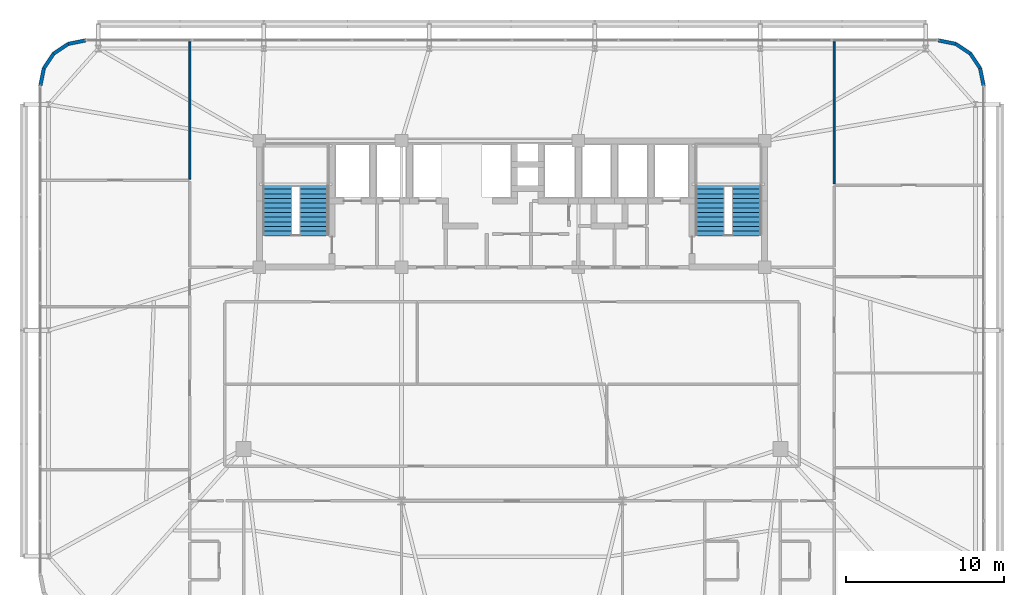
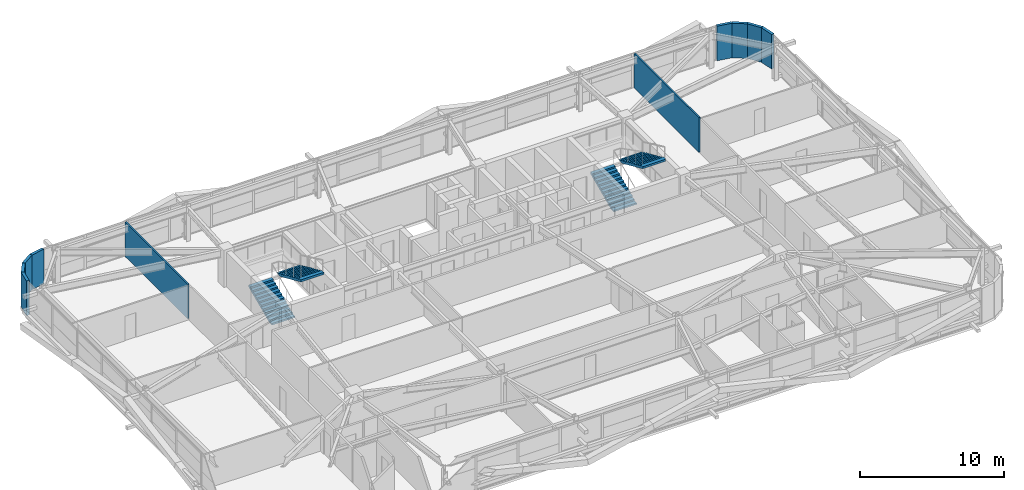
# One storey, part 56 of 59: 10 walls, 4 stair flights, 2 elements without a shape of their own.
"""IFC4 building model written with IfcOpenShell, lengths in metres."""

import ifcopenshell
import ifcopenshell.guid

model = None  # the IFC model being written
_history = None  # IfcOwnerHistory: only IFC2X3 demands one
_inside = {}  # id of a spatial element -> (the spatial element, [elements in it])
_under = {}  # id of a project, library or spatial element -> (it, [spatial elements below it])
_declared = {}  # id of a project -> (the project, [libraries it declares])
_typed = {}  # id of a type object -> (the type object, [elements of that type])
_made_of = {}  # id of a material, layer set ... -> (it, [elements and type objects made of it])


def new_model(schema):
    """Start an empty IFC model of exactly this schema.

    Asked for "IFC4X3", IfcOpenShell would pick the latest addendum, in which some entities
    have other attributes; the version numbers below select the first issue.
    IFC2X3 requires an IfcOwnerHistory on every rooted entity: one is made here for all.
    """
    global model, _history
    if schema == "IFC4X3":
        model = ifcopenshell.file(schema_version=(4, 3, 0, 0))
    else:
        model = ifcopenshell.file(schema=schema)
    _inside.clear()
    _under.clear()
    _declared.clear()
    _typed.clear()
    _made_of.clear()
    _history = None
    if model.schema == "IFC2X3":
        org = make("IfcOrganization", Name="unknown")
        user = make(
            "IfcPersonAndOrganization",
            ThePerson=make("IfcPerson", FamilyName="unknown"),
            TheOrganization=org,
        )
        app = make(
            "IfcApplication",
            ApplicationDeveloper=org,
            Version="unknown",
            ApplicationFullName="unknown",
            ApplicationIdentifier="unknown",
        )
        _history = make(
            "IfcOwnerHistory",
            OwningUser=user,
            OwningApplication=app,
            ChangeAction="ADDED",
            CreationDate=0,
        )
    return model


def make(cls, **values):
    """One entity of the class cls with the attributes given. An attribute that is None is left unset."""
    return model.create_entity(
        cls, **{name: value for name, value in values.items() if value is not None}
    )


def rooted(cls, **values):
    """An entity with a GlobalId (a new one), such as an element, a storey or a relation."""
    return make(cls, GlobalId=ifcopenshell.guid.new(), OwnerHistory=_history, **values)


def si_unit(unit_type, name, prefix=None):
    """IfcSIUnit, for example si_unit("LENGTHUNIT", "METRE", prefix="MILLI")."""
    return make("IfcSIUnit", UnitType=unit_type, Prefix=prefix, Name=name)


def assignment(units):
    """IfcUnitAssignment: the units of a project."""
    return None if units is None else make("IfcUnitAssignment", Units=units)


def point(xyz):
    """IfcCartesianPoint."""
    return None if xyz is None else make("IfcCartesianPoint", Coordinates=xyz)


def direction(xyz):
    """IfcDirection."""
    return None if xyz is None else make("IfcDirection", DirectionRatios=xyz)


def frame(location, z_axis=None, x_axis=None):
    """IfcAxis2Placement3D, a coordinate frame: its origin and axes. An axis left out is left unset."""
    return make(
        "IfcAxis2Placement3D",
        Location=point(location),
        Axis=direction(z_axis),
        RefDirection=direction(x_axis),
    )


def frame_2d(location, x_axis=None):
    """IfcAxis2Placement2D, a coordinate frame in the plane: its origin and x axis."""
    return make(
        "IfcAxis2Placement2D", Location=point(location), RefDirection=direction(x_axis)
    )


def origin():
    """The frame at (0, 0, 0) with its axes left unset."""
    return frame((0.0, 0.0, 0.0))


def place(relative_to, where):
    """IfcLocalPlacement: puts the frame where relative to a parent placement (None: the world)."""
    return make(
        "IfcLocalPlacement", PlacementRelTo=relative_to, RelativePlacement=where
    )


def context(
    kind, dimensions, precision=None, world=None, true_north=None, identifier=None
):
    """IfcGeometricRepresentationContext, for example the 3D "Model" context."""
    return make(
        "IfcGeometricRepresentationContext",
        ContextIdentifier=identifier,
        ContextType=kind,
        CoordinateSpaceDimension=dimensions,
        Precision=precision,
        WorldCoordinateSystem=world,
        TrueNorth=true_north,
    )


def subcontext(parent, identifier, kind, view, scale=None):
    """IfcGeometricRepresentationSubContext, for example "Body" below "Model"."""
    return make(
        "IfcGeometricRepresentationSubContext",
        ContextIdentifier=identifier,
        ContextType=kind,
        ParentContext=parent,
        TargetScale=scale,
        TargetView=view,
    )


def project(units=None, contexts=None):
    """IfcProject with its units and contexts."""
    return rooted(
        "IfcProject",
        Name="project",
        RepresentationContexts=contexts,
        UnitsInContext=assignment(units),
    )


def spatial(cls, under=None, at=None, **own):
    """A site, building, storey or space (cls), placed at a placement, below another one or the project."""
    s = rooted(cls, ObjectPlacement=at, **own)
    if under is not None:
        _under.setdefault(under.id(), (under, []))[1].append(s)
    return s


def polyline(points):
    """IfcPolyline through the points."""
    return make("IfcPolyline", Points=[point(p) for p in points])


def profile(cls, at=None, kind="AREA", **sizes):
    """A parametric profile (cls). Its sizes go by their IFC names, for example OverallWidth=200.0."""
    return make(cls, ProfileType=kind, Position=at, **sizes)


def rectangle(**sizes):
    """IfcRectangleProfileDef."""
    return profile("IfcRectangleProfileDef", **sizes)


def outline(outer, holes=None, kind="AREA"):
    """IfcArbitraryClosedProfileDef: a profile drawn as a closed curve; with holes, ...WithVoids."""
    if holes is None:
        return make("IfcArbitraryClosedProfileDef", ProfileType=kind, OuterCurve=outer)
    return make(
        "IfcArbitraryProfileDefWithVoids",
        ProfileType=kind,
        OuterCurve=outer,
        InnerCurves=holes,
    )


def extrude(swept, where, along, depth):
    """IfcExtrudedAreaSolid: the profile swept, set in the frame where, extruded along a direction by depth."""
    return make(
        "IfcExtrudedAreaSolid",
        SweptArea=swept,
        Position=where,
        ExtrudedDirection=direction(along),
        Depth=depth,
    )


def shape(context_of_items, identifier, shape_type, items):
    """IfcShapeRepresentation: the items that make up one representation, for example the "Body"."""
    return make(
        "IfcShapeRepresentation",
        ContextOfItems=context_of_items,
        RepresentationIdentifier=identifier,
        RepresentationType=shape_type,
        Items=items,
    )


def source(mapping_origin, context_of_items, identifier, shape_type, items):
    """IfcRepresentationMap: a shape defined once, which mapped items show again and again."""
    return make(
        "IfcRepresentationMap",
        MappingOrigin=mapping_origin,
        MappedRepresentation=shape(context_of_items, identifier, shape_type, items),
    )


def transform(
    local_origin,
    x_axis=None,
    y_axis=None,
    z_axis=None,
    scale=None,
    scale2=None,
    scale3=None,
    uniform=True,
):
    """IfcCartesianTransformationOperator3D, or its non-uniform kind. x_axis, y_axis, z_axis: its Axis1, 2, 3."""
    if uniform:
        return make(
            "IfcCartesianTransformationOperator3D",
            Axis1=direction(x_axis),
            Axis2=direction(y_axis),
            LocalOrigin=point(local_origin),
            Scale=scale,
            Axis3=direction(z_axis),
        )
    return make(
        "IfcCartesianTransformationOperator3DnonUniform",
        Axis1=direction(x_axis),
        Axis2=direction(y_axis),
        LocalOrigin=point(local_origin),
        Scale=scale,
        Axis3=direction(z_axis),
        Scale2=scale2,
        Scale3=scale3,
    )


def mapped(mapping_source, mapping_target):
    """IfcMappedItem: shows the shape of a source again, moved by a transform."""
    return make(
        "IfcMappedItem", MappingSource=mapping_source, MappingTarget=mapping_target
    )


def material(Name=None, Category=None):
    """IfcMaterial."""
    return make("IfcMaterial", Name=Name, Category=Category)


def layer(
    of_material, thickness, ventilated=None, Name=None, Category=None, Priority=None
):
    """IfcMaterialLayer: one layer of a wall or slab, of a material (None: an air gap)."""
    return make(
        "IfcMaterialLayer",
        Material=of_material,
        LayerThickness=thickness,
        IsVentilated=ventilated,
        Name=Name,
        Category=Category,
        Priority=Priority,
    )


def layer_set(layers, Name=None):
    """IfcMaterialLayerSet."""
    return make("IfcMaterialLayerSet", MaterialLayers=layers, LayerSetName=Name)


def made_of(thing, what):
    """Note that an element or type object is made of a material, layer set ...; save() writes the relation."""
    if what is not None:
        _made_of.setdefault(what.id(), (what, []))[1].append(thing)
    return thing


def type_object(cls, material=None, **own):
    """A type object (cls), such as IfcWallType, which elements share."""
    return made_of(rooted(cls, **own), material)


def element(
    cls,
    number,
    at=None,
    inside=None,
    cuts=None,
    type_object=None,
    material=None,
    context=None,
    identifier="Body",
    shape_type=None,
    held_by="IfcProductDefinitionShape",
    body=None,
    shapes=None,
    **own,
):
    """One element of the class cls, such as IfcWall. Its Tag is "e" and its number.

    at: its placement. inside: the storey or other place that contains it. cuts: it is an
    opening in that element (IfcRelVoidsElement). A single representation is given by context,
    identifier, shape_type and body (its items); several are given by shapes. held_by: the class
    of the entity that holds the representations. save() writes the other relations.
    """
    e = rooted(cls, Tag="e%d" % number, ObjectPlacement=at, **own)
    if body is not None:
        shapes = [shape(context, identifier, shape_type, body)]
    if shapes is not None:
        e.Representation = make(held_by, Representations=shapes)
    if inside is not None:
        _inside.setdefault(inside.id(), (inside, []))[1].append(e)
    if cuts is not None:
        rooted(
            "IfcRelVoidsElement", RelatingBuildingElement=cuts, RelatedOpeningElement=e
        )
    if type_object is not None:
        _typed.setdefault(type_object.id(), (type_object, []))[1].append(e)
    return made_of(e, material)


def aggregate(whole, parts):
    """IfcRelAggregates: a whole, such as a stair, and the parts it consists of."""
    return rooted("IfcRelAggregates", RelatingObject=whole, RelatedObjects=parts)


def save(model, path):
    """Write the relations noted so far, then the file.

    IfcRelAggregates (storeys below a building ...), IfcRelContainedInSpatialStructure (elements
    in a storey), IfcRelDefinesByType, IfcRelAssociatesMaterial and IfcRelDeclares: one each for
    every whole, place, type object, material and project.
    """
    for whole, parts in _under.values():
        aggregate(whole, parts)
    for where, things in _inside.values():
        rooted(
            "IfcRelContainedInSpatialStructure",
            RelatedElements=things,
            RelatingStructure=where,
        )
    for kind, things in _typed.values():
        rooted("IfcRelDefinesByType", RelatedObjects=things, RelatingType=kind)
    for what, things in _made_of.values():
        rooted("IfcRelAssociatesMaterial", RelatedObjects=things, RelatingMaterial=what)
    for by, libraries in _declared.values():
        rooted("IfcRelDeclares", RelatingContext=by, RelatedDefinitions=libraries)
    model.write(path)


model = new_model("IFC4")

# Units and contexts
model_context = context("Model", 3, precision=1e-05, world=origin(), true_north=direction((0.0, 1.0)))
body_context = subcontext(model_context, "Body", "Model", "MODEL_VIEW")
ifc_project = project(units=[si_unit("LENGTHUNIT", "METRE"), si_unit("AREAUNIT", "SQUARE_METRE"), si_unit("VOLUMEUNIT", "CUBIC_METRE"), si_unit("PLANEANGLEUNIT", "RADIAN"), si_unit("MASSUNIT", "GRAM", prefix="KILO")], contexts=[model_context])

# Site, building, storey
site_placement = place(None, origin())
site = spatial("IfcSite", under=ifc_project, at=site_placement, CompositionType="ELEMENT")
building_placement = place(site_placement, origin())
building = spatial("IfcBuilding", under=site, at=building_placement, Name="Taldren Reach Tower", CompositionType="ELEMENT")
storey_placement = place(building_placement, frame((0.0, 0.0, 29.39990234375)))
storey = spatial("IfcBuildingStorey", under=building, at=storey_placement, Name="L08", CompositionType="ELEMENT", Elevation=29.39990234375)

# Walls
ifc_material_1 = material(Name="Pale Champagne Anodised Aluminium Cladding", Category="aluminium")
ifc_layer_1 = layer(ifc_material_1, 0.04, Name="Pale Champagne Anodised Aluminium Cladding", Category="aluminium")
ifc_material_2 = material(Name="Mineral Wool Acoustic Insulation", Category="insulation")
ifc_layer_2 = layer(ifc_material_2, 0.06, Name="Mineral Wool Acoustic Insulation", Category="insulation")
ifc_material_3 = material(Name="Steel Gr 350 (C350L0)", Category="steel")
ifc_layer_3 = layer(ifc_material_3, 0.12, Name="Steel Gr 350 (C350L0)", Category="steel")
ifc_layer_set_1 = layer_set([ifc_layer_1, ifc_layer_2, ifc_layer_3], Name="Pale Champagne Aluminium Cladding and Steel Gr 350 Stud Framing")
wall_type_1 = type_object("IfcWallType", Name="EW-CRN-220", PredefinedType="SOLIDWALL", material=ifc_layer_set_1)
shared_shape_1 = source(origin(), body_context, "Body", "SweptSolid", [
    extrude(rectangle(XDim=1.115966796875, YDim=0.219970703125, at=frame_2d((0.55810546875, 0.0))), origin(), (0.0, 0.0, 1.0), 2.93017578125),
])
for number, where, z_axis, x_axis, name in (
    (1, (64.860107421875, 35.5, 0.0), (0.0, 0.0, 1.0), (-0.195148375659, 0.98077373103, 0.0), "Rounded-corner pale-metal facade wall L08-NE1"),
    (2, (64.642333984375, 36.594482421875, 0.0), (0.0, 0.0, 1.0), (-0.555709556774, 0.83137650226, 0.0), "Rounded-corner pale-metal facade wall L08-NE2"),
    (3, (64.022216796875, 37.522216796875, 0.0), (0.0, 0.0, 1.0), (-0.83137650226, 0.555709556774, 0.0), "Rounded-corner pale-metal facade wall L08-NE3"),
    (4, (63.094482421875, 38.142333984375, 0.0), (0.0, 0.0, 1.0), (-0.98077373103, 0.195148375659, 0.0), "Rounded-corner pale-metal facade wall L08-NE4"),
    (5, (8.0, 38.360107421875, 0.0), (0.0, 0.0, 1.0), (-0.98077373103, -0.195148375659, 0.0), "Rounded-corner pale-metal facade wall L08-NW1"),
    (6, (6.905517578125, 38.142333984375, 0.0), (0.0, 0.0, 1.0), (-0.83137650226, -0.555709556774, 0.0), "Rounded-corner pale-metal facade wall L08-NW2"),
    (7, (5.977783203125, 37.522216796875, 0.0), (0.0, 0.0, 1.0), (-0.555709556774, -0.83137650226, 0.0), "Rounded-corner pale-metal facade wall L08-NW3"),
    (8, (5.357666015625, 36.594482421875, 0.0), (0.0, 0.0, 1.0), (-0.195148375659, -0.98077373103, 0.0), "Rounded-corner pale-metal facade wall L08-NW4"),
):
    element("IfcWall", number, at=place(storey_placement, frame(where, z_axis=z_axis, x_axis=x_axis)), inside=storey, type_object=wall_type_1, Name=name, PredefinedType="SOLIDWALL", context=body_context, shape_type="MappedRepresentation", body=[
        mapped(shared_shape_1, transform((0.0, 0.0, 0.0), scale=1.0)),
    ])
ifc_material_4 = material(Name="Insulated Residential Stud Partition", Category="gypsum")
ifc_layer_4 = layer(ifc_material_4, 0.1201171875)
ifc_layer_set_2 = layer_set([ifc_layer_4], Name="Insulated Residential Stud Partition")
wall_type_2 = type_object("IfcWallType", Name="IW-PART-120", PredefinedType="PARTITIONING", material=ifc_layer_set_2)
shared_shape_2 = source(origin(), body_context, "Body", "SweptSolid", [
    extrude(rectangle(XDim=8.68994140625, YDim=0.1201171875, at=frame_2d((4.344970703125, 0.0))), origin(), (0.0, 0.0, 1.0), 2.93017578125),
])
wall_1_placement = place(storey_placement, frame((14.60009765625, 38.27001953125, 0.0), z_axis=(0.0, 0.0, 1.0), x_axis=(0.0, -1.0, 0.0)))
element("IfcWall", 9, at=wall_1_placement, inside=storey, type_object=wall_type_2, Name="Interior Partition Wall W-INT-L08-116", PredefinedType="PARTITIONING", context=body_context, shape_type="MappedRepresentation", body=[
    mapped(shared_shape_2, transform((0.0, 0.0, 0.0), scale=1.0)),
])
shared_shape_3 = source(origin(), body_context, "Body", "SweptSolid", [
    extrude(rectangle(XDim=8.989990234375, YDim=0.1201171875, at=frame_2d((4.4951171875, 0.0))), origin(), (0.0, 0.0, 1.0), 2.93017578125),
])
wall_2_placement = place(storey_placement, frame((55.39990234375, 29.280029296875, 0.0), z_axis=(0.0, 0.0, 1.0), x_axis=(0.0, 1.0, 0.0)))
element("IfcWall", 10, at=wall_2_placement, inside=storey, type_object=wall_type_2, Name="Interior Partition Wall W-INT-L08-122", PredefinedType="PARTITIONING", context=body_context, shape_type="MappedRepresentation", body=[
    mapped(shared_shape_3, transform((0.0, 0.0, 0.0), scale=1.0)),
])

# Stair, stair flights
ifc_material_5 = material(Name="Concrete S50 (50 MPa)", Category="concrete")
stair_type = type_object("IfcStairType", Name="ST-HT-315", PredefinedType="HALF_TURN_STAIR", material=ifc_material_5)
stair_1_placement = place(storey_placement, origin())
stair_1 = element("IfcStair", 11, at=stair_1_placement, inside=storey, type_object=stair_type, Name="Fire-isolated exit stair ST1 L08", PredefinedType="HALF_TURN_STAIR")
stair_flight_type = type_object("IfcStairFlightType", Name="SF-STR-315", PredefinedType="STRAIGHT", material=ifc_material_5)
stair_flight_1_placement = place(storey_placement, frame((20.139892578125, 25.989990234375, 0.0), z_axis=(0.0, 0.0, 1.0), x_axis=(0.0, 1.0, 0.0)))
stair_flight_1 = element("IfcStairFlight", 12, at=stair_flight_1_placement, type_object=stair_flight_type, Name="ST1 flight 1", NumberOfRisers=12, NumberOfTreads=11, PredefinedType="STRAIGHT", RiserHeight=0.13125, TreadLength=0.295, context=body_context, shape_type="SweptSolid", body=[
    extrude(outline(polyline([(0.0, 0.0), (0.0, 0.13134765625), (0.294921875, 0.13134765625), (0.294921875, 0.262451171875), (0.590087890625, 0.262451171875), (0.590087890625, 0.393798828125), (0.885009765625, 0.393798828125), (0.885009765625, 0.52490234375), (1.179931640625, 0.52490234375), (1.179931640625, 0.65625), (1.47509765625, 0.65625), (1.47509765625, 0.78759765625), (1.77001953125, 0.78759765625), (1.77001953125, 0.918701171875), (2.06494140625, 0.918701171875), (2.06494140625, 1.050048828125), (2.360107421875, 1.050048828125), (2.360107421875, 1.18115234375), (2.655029296875, 1.18115234375), (2.655029296875, 1.3125), (2.949951171875, 1.3125), (2.949951171875, 1.44384765625), (3.2451171875, 1.44384765625), (3.2451171875, 1.574951171875), (3.2451171875, 1.268798828125), (0.393310546875, 0.0), (0.0, 0.0)])), frame((0.0, 0.919921875, 0.0), z_axis=(0.0, -1.0, 0.0), x_axis=(1.0, 0.0, 0.0)), (0.0, 0.0, 1.0), 1.840087890625),
])
stair_flight_2_placement = place(storey_placement, frame((22.4599609375, 29.235107421875, 1.5751953125), z_axis=(0.0, 0.0, 1.0), x_axis=(0.0, -1.0, 0.0)))
stair_flight_2 = element("IfcStairFlight", 13, at=stair_flight_2_placement, type_object=stair_flight_type, Name="ST1 flight 2", NumberOfRisers=12, NumberOfTreads=11, PredefinedType="STRAIGHT", RiserHeight=0.13125, TreadLength=0.295, context=body_context, shape_type="SweptSolid", body=[
    extrude(outline(polyline([(0.0, 0.0), (0.0, 0.13134765625), (0.294921875, 0.13134765625), (0.294921875, 0.262451171875), (0.590087890625, 0.262451171875), (0.590087890625, 0.393798828125), (0.885009765625, 0.393798828125), (0.885009765625, 0.52490234375), (1.179931640625, 0.52490234375), (1.179931640625, 0.65625), (1.47509765625, 0.65625), (1.47509765625, 0.78759765625), (1.77001953125, 0.78759765625), (1.77001953125, 0.918701171875), (2.06494140625, 0.918701171875), (2.06494140625, 1.050048828125), (2.360107421875, 1.050048828125), (2.360107421875, 1.18115234375), (2.655029296875, 1.18115234375), (2.655029296875, 1.3125), (2.949951171875, 1.3125), (2.949951171875, 1.44384765625), (3.2451171875, 1.44384765625), (3.2451171875, 1.574951171875), (3.2451171875, 1.268798828125), (0.393310546875, 0.0), (0.0, 0.0)])), frame((0.0, 0.919921875, 0.0), z_axis=(0.0, -1.0, 0.0), x_axis=(1.0, 0.0, 0.0)), (0.0, 0.0, 1.0), 1.840087890625),
])
aggregate(stair_1, [stair_flight_1, stair_flight_2])

stair_2_placement = place(storey_placement, origin())
stair_2 = element("IfcStair", 14, at=stair_2_placement, inside=storey, type_object=stair_type, Name="Fire-isolated exit stair ST2 L08", PredefinedType="HALF_TURN_STAIR")
stair_flight_3_placement = place(storey_placement, frame((47.5400390625, 25.989990234375, 0.0), z_axis=(0.0, 0.0, 1.0), x_axis=(0.0, 1.0, 0.0)))
stair_flight_3 = element("IfcStairFlight", 15, at=stair_flight_3_placement, type_object=stair_flight_type, Name="ST2 flight 1", NumberOfRisers=12, NumberOfTreads=11, PredefinedType="STRAIGHT", RiserHeight=0.13125, TreadLength=0.295, context=body_context, shape_type="SweptSolid", body=[
    extrude(outline(polyline([(0.0, 0.0), (0.0, 0.13134765625), (0.294921875, 0.13134765625), (0.294921875, 0.262451171875), (0.590087890625, 0.262451171875), (0.590087890625, 0.393798828125), (0.885009765625, 0.393798828125), (0.885009765625, 0.52490234375), (1.179931640625, 0.52490234375), (1.179931640625, 0.65625), (1.47509765625, 0.65625), (1.47509765625, 0.78759765625), (1.77001953125, 0.78759765625), (1.77001953125, 0.918701171875), (2.06494140625, 0.918701171875), (2.06494140625, 1.050048828125), (2.360107421875, 1.050048828125), (2.360107421875, 1.18115234375), (2.655029296875, 1.18115234375), (2.655029296875, 1.3125), (2.949951171875, 1.3125), (2.949951171875, 1.44384765625), (3.2451171875, 1.44384765625), (3.2451171875, 1.574951171875), (3.2451171875, 1.268798828125), (0.393310546875, 0.0), (0.0, 0.0)])), frame((0.0, 0.919921875, 0.0), z_axis=(0.0, -1.0, 0.0), x_axis=(1.0, 0.0, 0.0)), (0.0, 0.0, 1.0), 1.840087890625),
])
stair_flight_4_placement = place(storey_placement, frame((49.860107421875, 29.235107421875, 1.5751953125), z_axis=(0.0, 0.0, 1.0), x_axis=(0.0, -1.0, 0.0)))
stair_flight_4 = element("IfcStairFlight", 16, at=stair_flight_4_placement, type_object=stair_flight_type, Name="ST2 flight 2", NumberOfRisers=12, NumberOfTreads=11, PredefinedType="STRAIGHT", RiserHeight=0.13125, TreadLength=0.295, context=body_context, shape_type="SweptSolid", body=[
    extrude(outline(polyline([(0.0, 0.0), (0.0, 0.13134765625), (0.294921875, 0.13134765625), (0.294921875, 0.262451171875), (0.590087890625, 0.262451171875), (0.590087890625, 0.393798828125), (0.885009765625, 0.393798828125), (0.885009765625, 0.52490234375), (1.179931640625, 0.52490234375), (1.179931640625, 0.65625), (1.47509765625, 0.65625), (1.47509765625, 0.78759765625), (1.77001953125, 0.78759765625), (1.77001953125, 0.918701171875), (2.06494140625, 0.918701171875), (2.06494140625, 1.050048828125), (2.360107421875, 1.050048828125), (2.360107421875, 1.18115234375), (2.655029296875, 1.18115234375), (2.655029296875, 1.3125), (2.949951171875, 1.3125), (2.949951171875, 1.44384765625), (3.2451171875, 1.44384765625), (3.2451171875, 1.574951171875), (3.2451171875, 1.268798828125), (0.393310546875, 0.0), (0.0, 0.0)])), frame((0.0, 0.919921875, 0.0), z_axis=(0.0, -1.0, 0.0), x_axis=(1.0, 0.0, 0.0)), (0.0, 0.0, 1.0), 1.840087890625),
])
aggregate(stair_2, [stair_flight_3, stair_flight_4])

save(model, "model.ifc")
